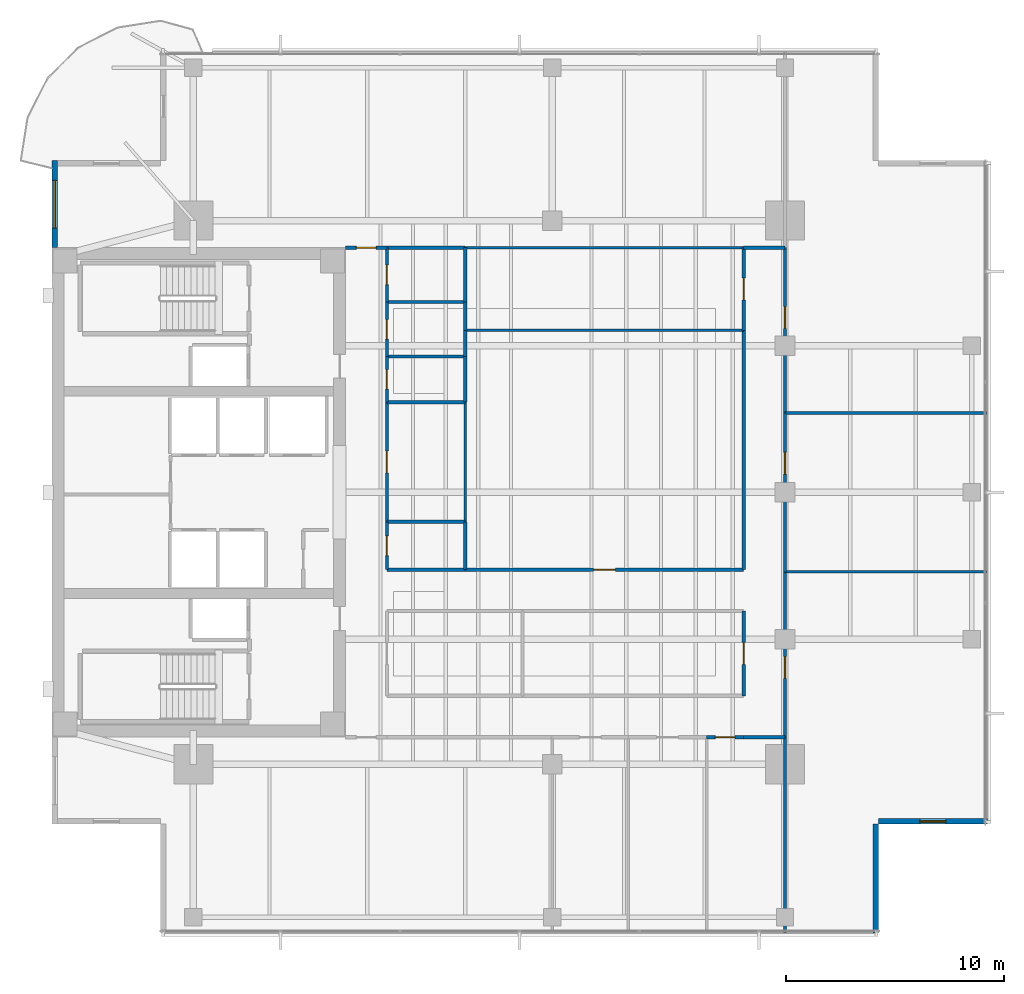
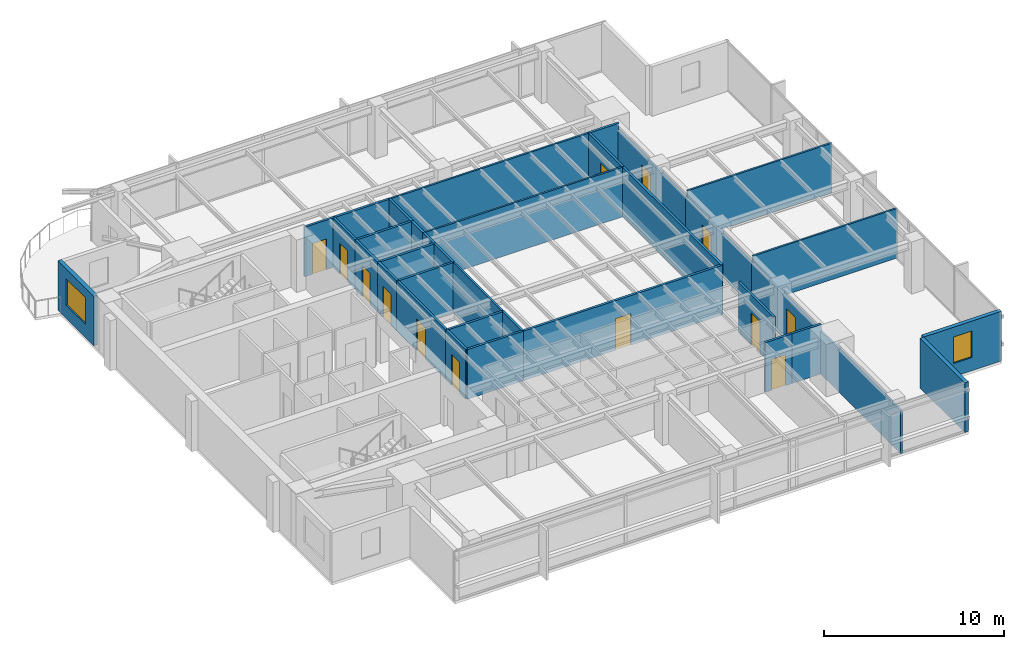
# One storey, part 9 of 14: 36 walls, 13 doors, 2 windows, 15 openings.
"""IFC4 building model written with IfcOpenShell, lengths in metres."""

from ifc_helpers import new_model, si_unit, direction, frame, frame_2d, origin, place, context, subcontext, project, spatial, rectangle, extrude, material, layer, layer_set, type_object, element, fill, save


model = new_model("IFC4")

# Units and contexts
model_context = context("Model", 3, precision=1e-05, world=origin(), true_north=direction((0.0, 1.0)))
body_context = subcontext(model_context, "Body", "Model", "MODEL_VIEW")
ifc_project = project(units=[si_unit("LENGTHUNIT", "METRE"), si_unit("AREAUNIT", "SQUARE_METRE"), si_unit("VOLUMEUNIT", "CUBIC_METRE"), si_unit("PLANEANGLEUNIT", "RADIAN"), si_unit("MASSUNIT", "GRAM", prefix="KILO")], contexts=[model_context])

# Site, building, storey
site_placement = place(None, origin())
site = spatial("IfcSite", under=ifc_project, at=site_placement, CompositionType="ELEMENT")
building_placement = place(site_placement, origin())
building = spatial("IfcBuilding", under=site, at=building_placement, Name="Kinhvarn Gate Tower", CompositionType="ELEMENT")
storey_placement = place(building_placement, frame((0.0, 0.0, 230.64990234375)))
storey = spatial("IfcBuildingStorey", under=building, at=storey_placement, Name="L61", CompositionType="ELEMENT", Elevation=230.64990234375)

# Wall, opening, window
ifc_material_1 = material(Name="Fired architectural terracotta", Category="masonry")
ifc_layer_1 = layer(ifc_material_1, 0.25)
ifc_layer_set_1 = layer_set([ifc_layer_1], Name="Fired architectural terracotta")
wall_type_1 = type_object("IfcWallType", Name="WL-EXT-250", PredefinedType="SOLIDWALL", material=ifc_layer_set_1)
wall_1_placement = place(storey_placement, frame((4.625, 40.5, 0.0), z_axis=(0.0, 0.0, 1.0), x_axis=(0.0, -1.0, 0.0)))
wall_1 = element("IfcWall", 1, at=wall_1_placement, inside=storey, type_object=wall_type_1, Name="Exterior Solidwall Wall EW-250 (L61 West-North)", PredefinedType="SOLIDWALL", context=body_context, shape_type="SweptSolid", body=[
    extrude(rectangle(XDim=4.0, YDim=0.25, at=frame_2d((2.0, 0.0))), origin(), (0.0, 0.0, 1.0), 3.3701171875),
])
opening_1_placement = place(wall_1_placement, frame((0.89990234375, 0.0, 0.89990234375)))
opening_1 = element("IfcOpeningElement", 2, at=opening_1_placement, cuts=wall_1, Name="Opening WN-01", PredefinedType="OPENING", context=body_context, shape_type="SweptSolid", body=[
    extrude(rectangle(XDim=2.199951171875, YDim=1.800048828125, at=frame_2d((1.10009765625, 0.89990234375))), frame((0.0, 0.135009765625, 0.0), z_axis=(0.0, -1.0, 0.0), x_axis=(1.0, 0.0, 0.0)), (0.0, 0.0, 1.0), 0.27001953125),
])
ifc_material_2 = material(Name="Clear low-e double glazing", Category="glass")
window_type_1 = type_object("IfcWindowType", Name="WIN-RIB-2200", PartitioningType="SINGLE_PANEL", PredefinedType="WINDOW", material=ifc_material_2)
window_1_placement = place(opening_1_placement, origin())
window_1 = element("IfcWindow", 3, at=window_1_placement, inside=storey, type_object=window_type_1, Name="West Flank Double-Glazed Ribbon Window 2200x1800 mm (L61)", OverallHeight=1.800048828125, OverallWidth=2.199951171875, PartitioningType="SINGLE_PANEL", PredefinedType="WINDOW", context=body_context, shape_type="SweptSolid", body=[
    extrude(rectangle(XDim=2.199951171875, YDim=1.800048828125, at=frame_2d((1.10009765625, 0.89990234375))), frame((0.0, 0.030029296875, 0.0), z_axis=(0.0, -1.0, 0.0), x_axis=(1.0, 0.0, 0.0)), (0.0, 0.0, 1.0), 0.06005859375),
])
fill(opening_1, window_1)

# Wall
wall_2_placement = place(storey_placement, frame((42.375, 5.0, 0.0), z_axis=(0.0, 0.0, 1.0), x_axis=(0.0, 1.0, 0.0)))
element("IfcWall", 4, at=wall_2_placement, inside=storey, type_object=wall_type_1, Name="Exterior Solidwall Wall EW-250 (L61 SE-Notch-1)", PredefinedType="SOLIDWALL", context=body_context, shape_type="SweptSolid", body=[
    extrude(rectangle(XDim=5.0, YDim=0.25, at=frame_2d((2.5, 0.0))), origin(), (0.0, 0.0, 1.0), 3.3701171875),
])

# Wall, opening, window
wall_3_placement = place(storey_placement, frame((42.5, 10.125, 0.0), z_axis=(0.0, 0.0, 1.0), x_axis=(1.0, 0.0, 0.0)))
wall_3 = element("IfcWall", 5, at=wall_3_placement, inside=storey, type_object=wall_type_1, Name="Exterior Solidwall Wall EW-250 (L61 SE-Notch-2)", PredefinedType="SOLIDWALL", context=body_context, shape_type="SweptSolid", body=[
    extrude(rectangle(XDim=5.0, YDim=0.25, at=frame_2d((2.5, 0.0))), origin(), (0.0, 0.0, 1.0), 3.3701171875),
])
opening_2_placement = place(wall_3_placement, frame((1.89990234375, 0.0, 0.89990234375)))
opening_2 = element("IfcOpeningElement", 6, at=opening_2_placement, cuts=wall_3, Name="Opening WN-02", PredefinedType="OPENING", context=body_context, shape_type="SweptSolid", body=[
    extrude(rectangle(XDim=1.199951171875, YDim=1.800048828125, at=frame_2d((0.60009765625, 0.89990234375))), frame((0.0, 0.135009765625, 0.0), z_axis=(0.0, -1.0, 0.0), x_axis=(1.0, 0.0, 0.0)), (0.0, 0.0, 1.0), 0.27001953125),
])
window_type_2 = type_object("IfcWindowType", Name="WIN-NTC-1200", PartitioningType="SINGLE_PANEL", PredefinedType="WINDOW", material=ifc_material_2)
window_2_placement = place(opening_2_placement, origin())
window_2 = element("IfcWindow", 7, at=window_2_placement, inside=storey, type_object=window_type_2, Name="Recessed Corner Notch Punched Window 1200x1800 mm (L61)", OverallHeight=1.800048828125, OverallWidth=1.199951171875, PartitioningType="SINGLE_PANEL", PredefinedType="WINDOW", context=body_context, shape_type="SweptSolid", body=[
    extrude(rectangle(XDim=1.199951171875, YDim=1.800048828125, at=frame_2d((0.60009765625, 0.89990234375))), frame((0.0, 0.030029296875, 0.0), z_axis=(0.0, -1.0, 0.0), x_axis=(1.0, 0.0, 0.0)), (0.0, 0.0, 1.0), 0.06005859375),
])
fill(opening_2, window_2)

# Walls
ifc_material_3 = material(Name="Gypsum acoustic partition board")
ifc_layer_2 = layer(ifc_material_3, 0.14990234375)
ifc_layer_set_2 = layer_set([ifc_layer_2], Name="Gypsum acoustic partition board")
wall_type_2 = type_object("IfcWallType", Name="WL-PLM-150", PredefinedType="PLUMBINGWALL", material=ifc_layer_set_2)
wall_4_placement = place(storey_placement, frame((19.89990234375, 34.0, 0.0), z_axis=(0.0, 0.0, 1.0), x_axis=(1.0, 0.0, 0.0)))
element("IfcWall", 8, at=wall_4_placement, inside=storey, type_object=wall_type_2, Name="Interior Partition PLW-150 (L61)", PredefinedType="PLUMBINGWALL", context=body_context, shape_type="SweptSolid", body=[
    extrude(rectangle(XDim=3.60009765625, YDim=0.14990234375, at=frame_2d((1.800048828125, 0.0))), origin(), (0.0, 0.0, 1.0), 3.3701171875),
])
wall_5_placement = place(storey_placement, frame((23.5, 34.0, 0.0), z_axis=(0.0, 0.0, 1.0), x_axis=(0.0, 1.0, 0.0)))
element("IfcWall", 9, at=wall_5_placement, inside=storey, type_object=wall_type_2, Name="Interior Partition PLW-150 (L61)", PredefinedType="PLUMBINGWALL", context=body_context, shape_type="SweptSolid", body=[
    extrude(rectangle(XDim=2.5, YDim=0.14990234375, at=frame_2d((1.25, 0.0))), origin(), (0.0, 0.0, 1.0), 3.3701171875),
])
for number, where, z_axis, x_axis, name in (
    (10, (19.89990234375, 36.5, 0.0), (0.0, 0.0, 1.0), (1.0, 0.0, 0.0), "Interior Partition PLW-150 (L61)"),
    (11, (19.89990234375, 31.5, 0.0), (0.0, 0.0, 1.0), (1.0, 0.0, 0.0), "Interior Partition PLW-150 (L61)"),
):
    element("IfcWall", number, at=place(storey_placement, frame(where, z_axis=z_axis, x_axis=x_axis)), inside=storey, type_object=wall_type_2, Name=name, PredefinedType="PLUMBINGWALL", context=body_context, shape_type="SweptSolid", body=[
        extrude(rectangle(XDim=3.60009765625, YDim=0.14990234375, at=frame_2d((1.800048828125, 0.0))), origin(), (0.0, 0.0, 1.0), 3.3701171875),
    ])
wall_6_placement = place(storey_placement, frame((23.5, 32.699951171875, 0.0), z_axis=(0.0, 0.0, 1.0), x_axis=(0.0, 1.0, 0.0)))
element("IfcWall", 12, at=wall_6_placement, inside=storey, type_object=wall_type_2, Name="Interior Partition PLW-150 (L61)", PredefinedType="PLUMBINGWALL", context=body_context, shape_type="SweptSolid", body=[
    extrude(rectangle(XDim=1.300048828125, YDim=0.14990234375, at=frame_2d((0.64990234375, 0.0))), origin(), (0.0, 0.0, 1.0), 3.3701171875),
])
wall_7_placement = place(storey_placement, frame((23.5, 31.5, 0.0), z_axis=(0.0, 0.0, 1.0), x_axis=(0.0, 1.0, 0.0)))
element("IfcWall", 13, at=wall_7_placement, inside=storey, type_object=wall_type_2, Name="Interior Partition PLW-150 (L61)", PredefinedType="PLUMBINGWALL", context=body_context, shape_type="SweptSolid", body=[
    extrude(rectangle(XDim=1.199951171875, YDim=0.14990234375, at=frame_2d((0.60009765625, 0.0))), origin(), (0.0, 0.0, 1.0), 3.3701171875),
])
wall_8_placement = place(storey_placement, frame((19.89990234375, 29.39990234375, 0.0), z_axis=(0.0, 0.0, 1.0), x_axis=(1.0, 0.0, 0.0)))
element("IfcWall", 14, at=wall_8_placement, inside=storey, type_object=wall_type_2, Name="Interior Partition PLW-150 (L61)", PredefinedType="PLUMBINGWALL", context=body_context, shape_type="SweptSolid", body=[
    extrude(rectangle(XDim=3.60009765625, YDim=0.14990234375, at=frame_2d((1.800048828125, 0.0))), origin(), (0.0, 0.0, 1.0), 3.3701171875),
])
wall_9_placement = place(storey_placement, frame((23.5, 29.39990234375, 0.0), z_axis=(0.0, 0.0, 1.0), x_axis=(0.0, 1.0, 0.0)))
element("IfcWall", 15, at=wall_9_placement, inside=storey, type_object=wall_type_2, Name="Interior Partition PLW-150 (L61)", PredefinedType="PLUMBINGWALL", context=body_context, shape_type="SweptSolid", body=[
    extrude(rectangle(XDim=2.10009765625, YDim=0.14990234375, at=frame_2d((1.050048828125, 0.0))), origin(), (0.0, 0.0, 1.0), 3.3701171875),
])
wall_10_placement = place(storey_placement, frame((19.89990234375, 23.89990234375, 0.0), z_axis=(0.0, 0.0, 1.0), x_axis=(1.0, 0.0, 0.0)))
element("IfcWall", 16, at=wall_10_placement, inside=storey, type_object=wall_type_2, Name="Interior Partition PLW-150 (L61)", PredefinedType="PLUMBINGWALL", context=body_context, shape_type="SweptSolid", body=[
    extrude(rectangle(XDim=3.60009765625, YDim=0.14990234375, at=frame_2d((1.800048828125, 0.0))), origin(), (0.0, 0.0, 1.0), 3.3701171875),
])
wall_11_placement = place(storey_placement, frame((23.5, 21.699951171875, 0.0), z_axis=(0.0, 0.0, 1.0), x_axis=(0.0, 1.0, 0.0)))
element("IfcWall", 17, at=wall_11_placement, inside=storey, type_object=wall_type_2, Name="Interior Partition PLW-150 (L61)", PredefinedType="PLUMBINGWALL", context=body_context, shape_type="SweptSolid", body=[
    extrude(rectangle(XDim=2.199951171875, YDim=0.14990234375, at=frame_2d((1.10009765625, 0.0))), origin(), (0.0, 0.0, 1.0), 3.3701171875),
])

# Wall, opening, door
ifc_layer_3 = layer(ifc_material_3, 0.14990234375)
ifc_layer_set_3 = layer_set([ifc_layer_3], Name="Gypsum acoustic partition board")
wall_type_3 = type_object("IfcWallType", Name="WL-PLM-150F", PredefinedType="PLUMBINGWALL", material=ifc_layer_set_3)
wall_12_placement = place(storey_placement, frame((19.89990234375, 34.0, 0.0), z_axis=(0.0, 0.0, 1.0), x_axis=(0.0, 1.0, 0.0)))
wall_12 = element("IfcWall", 18, at=wall_12_placement, inside=storey, type_object=wall_type_3, Name="Interior Partition PLW-150F (L61)", PredefinedType="PLUMBINGWALL", context=body_context, shape_type="SweptSolid", body=[
    extrude(rectangle(XDim=2.5, YDim=0.14990234375, at=frame_2d((1.25, 0.0))), origin(), (0.0, 0.0, 1.0), 3.3701171875),
])
opening_3_placement = place(wall_12_placement, frame((0.800048828125, 0.0, 0.0)))
opening_3 = element("IfcOpeningElement", 19, at=opening_3_placement, cuts=wall_12, Name="Opening FD-04", PredefinedType="OPENING", context=body_context, shape_type="SweptSolid", body=[
    extrude(rectangle(XDim=0.89990234375, YDim=2.10009765625, at=frame_2d((0.449951171875, 1.050048828125))), frame((0.0, 0.0849609375, 0.0), z_axis=(0.0, -1.0, 0.0), x_axis=(1.0, 0.0, 0.0)), (0.0, 0.0, 1.0), 0.169921875),
])
ifc_material_4 = material(Name="Anodised aluminium AW-6063", Category="aluminium")
door_type_1 = type_object("IfcDoorType", Name="DR-FD-900", OperationType="NOTDEFINED", PredefinedType="DOOR", material=ifc_material_4)
door_1_placement = place(opening_3_placement, origin())
door_1 = element("IfcDoor", 20, at=door_1_placement, inside=storey, type_object=door_type_1, Name="Rated Riser & Service Closet Fire Door 900x2100 mm (L61)", OperationType="SINGLE_SWING_RIGHT", OverallHeight=2.10009765625, OverallWidth=0.89990234375, PredefinedType="DOOR", context=body_context, shape_type="SweptSolid", body=[
    extrude(rectangle(XDim=0.89990234375, YDim=2.10009765625, at=frame_2d((0.449951171875, 1.050048828125))), frame((0.0, 0.02490234375, 0.0), z_axis=(0.0, -1.0, 0.0), x_axis=(1.0, 0.0, 0.0)), (0.0, 0.0, 1.0), 0.050048828125),
])
fill(opening_3, door_1)

wall_13_placement = place(storey_placement, frame((19.89990234375, 31.5, 0.0), z_axis=(0.0, 0.0, 1.0), x_axis=(0.0, 1.0, 0.0)))
wall_13 = element("IfcWall", 21, at=wall_13_placement, inside=storey, type_object=wall_type_3, Name="Interior Partition PLW-150F (L61)", PredefinedType="PLUMBINGWALL", context=body_context, shape_type="SweptSolid", body=[
    extrude(rectangle(XDim=2.5, YDim=0.14990234375, at=frame_2d((1.25, 0.0))), origin(), (0.0, 0.0, 1.0), 3.3701171875),
])
opening_4_placement = place(wall_13_placement, frame((0.800048828125, 0.0, 0.0)))
opening_4 = element("IfcOpeningElement", 22, at=opening_4_placement, cuts=wall_13, Name="Opening FD-04", PredefinedType="OPENING", context=body_context, shape_type="SweptSolid", body=[
    extrude(rectangle(XDim=0.89990234375, YDim=2.10009765625, at=frame_2d((0.449951171875, 1.050048828125))), frame((0.0, 0.0849609375, 0.0), z_axis=(0.0, -1.0, 0.0), x_axis=(1.0, 0.0, 0.0)), (0.0, 0.0, 1.0), 0.169921875),
])
door_2_placement = place(opening_4_placement, origin())
door_2 = element("IfcDoor", 23, at=door_2_placement, inside=storey, type_object=door_type_1, Name="Rated Riser & Service Closet Fire Door 900x2100 mm (L61)", OperationType="SINGLE_SWING_LEFT", OverallHeight=2.10009765625, OverallWidth=0.89990234375, PredefinedType="DOOR", context=body_context, shape_type="SweptSolid", body=[
    extrude(rectangle(XDim=0.89990234375, YDim=2.10009765625, at=frame_2d((0.449951171875, 1.050048828125))), frame((0.0, 0.02490234375, 0.0), z_axis=(0.0, -1.0, 0.0), x_axis=(1.0, 0.0, 0.0)), (0.0, 0.0, 1.0), 0.050048828125),
])
fill(opening_4, door_2)

wall_14_placement = place(storey_placement, frame((19.89990234375, 29.39990234375, 0.0), z_axis=(0.0, 0.0, 1.0), x_axis=(0.0, 1.0, 0.0)))
wall_14 = element("IfcWall", 24, at=wall_14_placement, inside=storey, type_object=wall_type_3, Name="Interior Partition PLW-150F (L61)", PredefinedType="PLUMBINGWALL", context=body_context, shape_type="SweptSolid", body=[
    extrude(rectangle(XDim=2.10009765625, YDim=0.14990234375, at=frame_2d((1.050048828125, 0.0))), origin(), (0.0, 0.0, 1.0), 3.3701171875),
])
opening_5_placement = place(wall_14_placement, frame((0.60009765625, 0.0, 0.0)))
opening_5 = element("IfcOpeningElement", 25, at=opening_5_placement, cuts=wall_14, Name="Opening FD-04", PredefinedType="OPENING", context=body_context, shape_type="SweptSolid", body=[
    extrude(rectangle(XDim=0.89990234375, YDim=2.10009765625, at=frame_2d((0.449951171875, 1.050048828125))), frame((0.0, 0.0849609375, 0.0), z_axis=(0.0, -1.0, 0.0), x_axis=(1.0, 0.0, 0.0)), (0.0, 0.0, 1.0), 0.169921875),
])
door_3_placement = place(opening_5_placement, origin())
door_3 = element("IfcDoor", 26, at=door_3_placement, inside=storey, type_object=door_type_1, Name="Rated Riser & Service Closet Fire Door 900x2100 mm (L61)", OperationType="SINGLE_SWING_RIGHT", OverallHeight=2.10009765625, OverallWidth=0.89990234375, PredefinedType="DOOR", context=body_context, shape_type="SweptSolid", body=[
    extrude(rectangle(XDim=0.89990234375, YDim=2.10009765625, at=frame_2d((0.449951171875, 1.050048828125))), frame((0.0, 0.02490234375, 0.0), z_axis=(0.0, -1.0, 0.0), x_axis=(1.0, 0.0, 0.0)), (0.0, 0.0, 1.0), 0.050048828125),
])
fill(opening_5, door_3)

wall_15_placement = place(storey_placement, frame((19.89990234375, 21.699951171875, 0.0), z_axis=(0.0, 0.0, 1.0), x_axis=(0.0, 1.0, 0.0)))
wall_15 = element("IfcWall", 27, at=wall_15_placement, inside=storey, type_object=wall_type_3, Name="Interior Partition PLW-150F (L61)", PredefinedType="PLUMBINGWALL", context=body_context, shape_type="SweptSolid", body=[
    extrude(rectangle(XDim=2.199951171875, YDim=0.14990234375, at=frame_2d((1.10009765625, 0.0))), origin(), (0.0, 0.0, 1.0), 3.3701171875),
])
opening_6_placement = place(wall_15_placement, frame((0.64990234375, 0.0, 0.0)))
opening_6 = element("IfcOpeningElement", 28, at=opening_6_placement, cuts=wall_15, Name="Opening FD-04", PredefinedType="OPENING", context=body_context, shape_type="SweptSolid", body=[
    extrude(rectangle(XDim=0.89990234375, YDim=2.10009765625, at=frame_2d((0.449951171875, 1.050048828125))), frame((0.0, 0.0849609375, 0.0), z_axis=(0.0, -1.0, 0.0), x_axis=(1.0, 0.0, 0.0)), (0.0, 0.0, 1.0), 0.169921875),
])
door_4_placement = place(opening_6_placement, origin())
door_4 = element("IfcDoor", 29, at=door_4_placement, inside=storey, type_object=door_type_1, Name="Rated Riser & Service Closet Fire Door 900x2100 mm (L61)", OperationType="SINGLE_SWING_LEFT", OverallHeight=2.10009765625, OverallWidth=0.89990234375, PredefinedType="DOOR", context=body_context, shape_type="SweptSolid", body=[
    extrude(rectangle(XDim=0.89990234375, YDim=2.10009765625, at=frame_2d((0.449951171875, 1.050048828125))), frame((0.0, 0.02490234375, 0.0), z_axis=(0.0, -1.0, 0.0), x_axis=(1.0, 0.0, 0.0)), (0.0, 0.0, 1.0), 0.050048828125),
])
fill(opening_6, door_4)

# Walls
wall_16_placement = place(storey_placement, frame((19.89990234375, 21.699951171875, 0.0), z_axis=(0.0, 0.0, 1.0), x_axis=(1.0, 0.0, 0.0)))
element("IfcWall", 30, at=wall_16_placement, inside=storey, type_object=wall_type_3, Name="Interior Partition PLW-150F (L61)", PredefinedType="PLUMBINGWALL", context=body_context, shape_type="SweptSolid", body=[
    extrude(rectangle(XDim=3.60009765625, YDim=0.14990234375, at=frame_2d((1.800048828125, 0.0))), origin(), (0.0, 0.0, 1.0), 3.3701171875),
])
ifc_layer_4 = layer(ifc_material_3, 0.1201171875)
ifc_layer_set_4 = layer_set([ifc_layer_4], Name="Gypsum acoustic partition board")
wall_type_4 = type_object("IfcWallType", Name="WL-PRT-120", PredefinedType="PARTITIONING", material=ifc_layer_set_4)
wall_17_placement = place(storey_placement, frame((23.5, 23.89990234375, 0.0), z_axis=(0.0, 0.0, 1.0), x_axis=(0.0, 1.0, 0.0)))
element("IfcWall", 31, at=wall_17_placement, inside=storey, type_object=wall_type_4, Name="Interior Partition PW-120 (L61)", PredefinedType="PARTITIONING", context=body_context, shape_type="SweptSolid", body=[
    extrude(rectangle(XDim=5.5, YDim=0.1201171875, at=frame_2d((2.75, 0.0))), origin(), (0.0, 0.0, 1.0), 3.3701171875),
])
for number, where, z_axis, x_axis, name in (
    (32, (23.5, 32.699951171875, 0.0), (0.0, 0.0, 1.0), (1.0, 0.0, 0.0), "Interior Partition PW-120 (L61)"),
    (33, (23.5, 36.5, 0.0), (0.0, 0.0, 1.0), (1.0, 0.0, 0.0), "Interior Partition PW-120 (L61)"),
):
    element("IfcWall", number, at=place(storey_placement, frame(where, z_axis=z_axis, x_axis=x_axis)), inside=storey, type_object=wall_type_4, Name=name, PredefinedType="PARTITIONING", context=body_context, shape_type="SweptSolid", body=[
        extrude(rectangle(XDim=12.800048828125, YDim=0.1201171875, at=frame_2d((6.39990234375, 0.0))), origin(), (0.0, 0.0, 1.0), 3.3701171875),
    ])
wall_18_placement = place(storey_placement, frame((38.199951171875, 5.010009765625, 0.0), z_axis=(0.0, 0.0, 1.0), x_axis=(0.0, 1.0, 0.0)))
element("IfcWall", 34, at=wall_18_placement, inside=storey, type_object=wall_type_4, Name="Interior Partition PW-120 (L61)", PredefinedType="PARTITIONING", context=body_context, shape_type="SweptSolid", body=[
    extrude(rectangle(XDim=8.989990234375, YDim=0.1201171875, at=frame_2d((4.4951171875, 0.0))), origin(), (0.0, 0.0, 1.0), 2.920166015625),
])
for number, where, z_axis, x_axis, name in (
    (35, (38.199951171875, 21.60009765625, 0.0), (0.0, 0.0, 1.0), (1.0, 0.0, 0.0), "Interior Partition PW-120 (L61)"),
    (36, (38.199951171875, 28.89990234375, 0.0), (0.0, 0.0, 1.0), (1.0, 0.0, 0.0), "Interior Partition PW-120 (L61)"),
):
    element("IfcWall", number, at=place(storey_placement, frame(where, z_axis=z_axis, x_axis=x_axis)), inside=storey, type_object=wall_type_4, Name=name, PredefinedType="PARTITIONING", context=body_context, shape_type="SweptSolid", body=[
        extrude(rectangle(XDim=9.2900390625, YDim=0.1201171875, at=frame_2d((4.64501953125, 0.0))), origin(), (0.0, 0.0, 1.0), 3.3701171875),
    ])

# Wall, opening, door
ifc_layer_5 = layer(ifc_material_3, 0.14990234375)
ifc_layer_set_5 = layer_set([ifc_layer_5], Name="Gypsum acoustic partition board")
wall_type_5 = type_object("IfcWallType", Name="WL-PRT-150F", PredefinedType="PARTITIONING", material=ifc_layer_set_5)
wall_19_placement = place(storey_placement, frame((19.89990234375, 23.89990234375, 0.0), z_axis=(0.0, 0.0, 1.0), x_axis=(0.0, 1.0, 0.0)))
wall_19 = element("IfcWall", 37, at=wall_19_placement, inside=storey, type_object=wall_type_5, Name="Interior Partition PW-150F (L61)", PredefinedType="PARTITIONING", context=body_context, shape_type="SweptSolid", body=[
    extrude(rectangle(XDim=5.5, YDim=0.14990234375, at=frame_2d((2.75, 0.0))), origin(), (0.0, 0.0, 1.0), 3.3701171875),
])
opening_7_placement = place(wall_19_placement, frame((2.25, 0.0, 0.0)))
opening_7 = element("IfcOpeningElement", 38, at=opening_7_placement, cuts=wall_19, Name="Opening ID-02", PredefinedType="OPENING", context=body_context, shape_type="SweptSolid", body=[
    extrude(rectangle(XDim=1.0, YDim=2.14990234375, at=frame_2d((0.5, 1.074951171875))), frame((0.0, 0.0849609375, 0.0), z_axis=(0.0, -1.0, 0.0), x_axis=(1.0, 0.0, 0.0)), (0.0, 0.0, 1.0), 0.169921875),
])
door_type_2 = type_object("IfcDoorType", Name="DR-INT-1000", OperationType="NOTDEFINED", PredefinedType="DOOR", material=ifc_material_4)
door_5_placement = place(opening_7_placement, origin())
door_5 = element("IfcDoor", 39, at=door_5_placement, inside=storey, type_object=door_type_2, Name="Standard Office & Meeting Room Door 1000x2150 mm (L61)", OperationType="SINGLE_SWING_RIGHT", OverallHeight=2.14990234375, OverallWidth=1.0, PredefinedType="DOOR", context=body_context, shape_type="SweptSolid", body=[
    extrude(rectangle(XDim=1.0, YDim=2.14990234375, at=frame_2d((0.5, 1.074951171875))), frame((0.0, 0.02490234375, 0.0), z_axis=(0.0, -1.0, 0.0), x_axis=(1.0, 0.0, 0.0)), (0.0, 0.0, 1.0), 0.050048828125),
])
fill(opening_7, door_5)

wall_20_placement = place(storey_placement, frame((18.0, 36.5, 0.0), z_axis=(0.0, 0.0, 1.0), x_axis=(1.0, 0.0, 0.0)))
wall_20 = element("IfcWall", 40, at=wall_20_placement, inside=storey, type_object=wall_type_5, Name="Interior Partition PW-150F (L61)", PredefinedType="PARTITIONING", context=body_context, shape_type="SweptSolid", body=[
    extrude(rectangle(XDim=1.89990234375, YDim=0.14990234375, at=frame_2d((0.949951171875, 0.0))), origin(), (0.0, 0.0, 1.0), 3.3701171875),
])
opening_8_placement = place(wall_20_placement, frame((0.5, 0.0, 0.0)))
opening_8 = element("IfcOpeningElement", 41, at=opening_8_placement, cuts=wall_20, Name="Opening ID-03", PredefinedType="OPENING", context=body_context, shape_type="SweptSolid", body=[
    extrude(rectangle(XDim=0.89990234375, YDim=2.10009765625, at=frame_2d((0.449951171875, 1.050048828125))), frame((0.0, 0.0849609375, 0.0), z_axis=(0.0, -1.0, 0.0), x_axis=(1.0, 0.0, 0.0)), (0.0, 0.0, 1.0), 0.169921875),
])
door_type_3 = type_object("IfcDoorType", Name="DR-INT-900", OperationType="NOTDEFINED", PredefinedType="DOOR", material=ifc_material_4)
door_6_placement = place(opening_8_placement, origin())
door_6 = element("IfcDoor", 42, at=door_6_placement, inside=storey, type_object=door_type_3, Name="Cellular Office & Restroom Door 900x2100 mm (L61)", OperationType="SINGLE_SWING_RIGHT", OverallHeight=2.10009765625, OverallWidth=0.89990234375, PredefinedType="DOOR", context=body_context, shape_type="SweptSolid", body=[
    extrude(rectangle(XDim=0.89990234375, YDim=2.10009765625, at=frame_2d((0.449951171875, 1.050048828125))), frame((0.0, 0.02490234375, 0.0), z_axis=(0.0, -1.0, 0.0), x_axis=(1.0, 0.0, 0.0)), (0.0, 0.0, 1.0), 0.050048828125),
])
fill(opening_8, door_6)

wall_21_placement = place(storey_placement, frame((23.5, 21.699951171875, 0.0), z_axis=(0.0, 0.0, 1.0), x_axis=(1.0, 0.0, 0.0)))
wall_21 = element("IfcWall", 43, at=wall_21_placement, inside=storey, type_object=wall_type_5, Name="Interior Partition PW-150F (L61)", PredefinedType="PARTITIONING", context=body_context, shape_type="SweptSolid", body=[
    extrude(rectangle(XDim=12.800048828125, YDim=0.14990234375, at=frame_2d((6.39990234375, 0.0))), origin(), (0.0, 0.0, 1.0), 3.3701171875),
])
opening_9_placement = place(wall_21_placement, frame((5.89990234375, 0.0, 0.0)))
opening_9 = element("IfcOpeningElement", 44, at=opening_9_placement, cuts=wall_21, Name="Opening ID-02", PredefinedType="OPENING", context=body_context, shape_type="SweptSolid", body=[
    extrude(rectangle(XDim=1.0, YDim=2.14990234375, at=frame_2d((0.5, 1.074951171875))), frame((0.0, 0.0849609375, 0.0), z_axis=(0.0, -1.0, 0.0), x_axis=(1.0, 0.0, 0.0)), (0.0, 0.0, 1.0), 0.169921875),
])
door_7_placement = place(opening_9_placement, origin())
door_7 = element("IfcDoor", 45, at=door_7_placement, inside=storey, type_object=door_type_2, Name="Standard Office & Meeting Room Door 1000x2150 mm (L61)", OperationType="SINGLE_SWING_LEFT", OverallHeight=2.14990234375, OverallWidth=1.0, PredefinedType="DOOR", context=body_context, shape_type="SweptSolid", body=[
    extrude(rectangle(XDim=1.0, YDim=2.14990234375, at=frame_2d((0.5, 1.074951171875))), frame((0.0, 0.02490234375, 0.0), z_axis=(0.0, -1.0, 0.0), x_axis=(1.0, 0.0, 0.0)), (0.0, 0.0, 1.0), 0.050048828125),
])
fill(opening_9, door_7)

wall_22_placement = place(storey_placement, frame((36.300048828125, 15.89990234375, 0.0), z_axis=(0.0, 0.0, 1.0), x_axis=(0.0, 1.0, 0.0)))
wall_22 = element("IfcWall", 46, at=wall_22_placement, inside=storey, type_object=wall_type_5, Name="Interior Partition PW-150F (L61)", PredefinedType="PARTITIONING", context=body_context, shape_type="SweptSolid", body=[
    extrude(rectangle(XDim=3.900146484375, YDim=0.14990234375, at=frame_2d((1.9501953125, 0.0))), origin(), (0.0, 0.0, 1.0), 3.3701171875),
])
opening_10_placement = place(wall_22_placement, frame((1.449951171875, 0.0, 0.0)))
opening_10 = element("IfcOpeningElement", 47, at=opening_10_placement, cuts=wall_22, Name="Opening ID-02", PredefinedType="OPENING", context=body_context, shape_type="SweptSolid", body=[
    extrude(rectangle(XDim=1.0, YDim=2.14990234375, at=frame_2d((0.5, 1.074951171875))), frame((0.0, 0.0849609375, 0.0), z_axis=(0.0, -1.0, 0.0), x_axis=(1.0, 0.0, 0.0)), (0.0, 0.0, 1.0), 0.169921875),
])
door_8_placement = place(opening_10_placement, origin())
door_8 = element("IfcDoor", 48, at=door_8_placement, inside=storey, type_object=door_type_2, Name="Standard Office & Meeting Room Door 1000x2150 mm (L61)", OperationType="SINGLE_SWING_RIGHT", OverallHeight=2.14990234375, OverallWidth=1.0, PredefinedType="DOOR", context=body_context, shape_type="SweptSolid", body=[
    extrude(rectangle(XDim=1.0, YDim=2.14990234375, at=frame_2d((0.5, 1.074951171875))), frame((0.0, 0.02490234375, 0.0), z_axis=(0.0, -1.0, 0.0), x_axis=(1.0, 0.0, 0.0)), (0.0, 0.0, 1.0), 0.050048828125),
])
fill(opening_10, door_8)

wall_23_placement = place(storey_placement, frame((36.300048828125, 32.699951171875, 0.0), z_axis=(0.0, 0.0, 1.0), x_axis=(0.0, 1.0, 0.0)))
wall_23 = element("IfcWall", 49, at=wall_23_placement, inside=storey, type_object=wall_type_5, Name="Interior Partition PW-150F (L61)", PredefinedType="PARTITIONING", context=body_context, shape_type="SweptSolid", body=[
    extrude(rectangle(XDim=3.800048828125, YDim=0.14990234375, at=frame_2d((1.89990234375, 0.0))), origin(), (0.0, 0.0, 1.0), 3.3701171875),
])
opening_11_placement = place(wall_23_placement, frame((1.39990234375, 0.0, 0.0)))
opening_11 = element("IfcOpeningElement", 50, at=opening_11_placement, cuts=wall_23, Name="Opening ID-02", PredefinedType="OPENING", context=body_context, shape_type="SweptSolid", body=[
    extrude(rectangle(XDim=1.0, YDim=2.14990234375, at=frame_2d((0.5, 1.074951171875))), frame((0.0, 0.0849609375, 0.0), z_axis=(0.0, -1.0, 0.0), x_axis=(1.0, 0.0, 0.0)), (0.0, 0.0, 1.0), 0.169921875),
])
door_9_placement = place(opening_11_placement, origin())
door_9 = element("IfcDoor", 51, at=door_9_placement, inside=storey, type_object=door_type_2, Name="Standard Office & Meeting Room Door 1000x2150 mm (L61)", OperationType="SINGLE_SWING_LEFT", OverallHeight=2.14990234375, OverallWidth=1.0, PredefinedType="DOOR", context=body_context, shape_type="SweptSolid", body=[
    extrude(rectangle(XDim=1.0, YDim=2.14990234375, at=frame_2d((0.5, 1.074951171875))), frame((0.0, 0.02490234375, 0.0), z_axis=(0.0, -1.0, 0.0), x_axis=(1.0, 0.0, 0.0)), (0.0, 0.0, 1.0), 0.050048828125),
])
fill(opening_11, door_9)

# Walls
wall_24_placement = place(storey_placement, frame((36.300048828125, 21.699951171875, 0.0), z_axis=(0.0, 0.0, 1.0), x_axis=(0.0, 1.0, 0.0)))
element("IfcWall", 52, at=wall_24_placement, inside=storey, type_object=wall_type_5, Name="Interior Partition PW-150F (L61)", PredefinedType="PARTITIONING", context=body_context, shape_type="SweptSolid", body=[
    extrude(rectangle(XDim=11.0, YDim=0.14990234375, at=frame_2d((5.5, 0.0))), origin(), (0.0, 0.0, 1.0), 3.3701171875),
])
for number, where, z_axis, x_axis, name in (
    (53, (36.300048828125, 14.0, 0.0), (0.0, 0.0, 1.0), (1.0, 0.0, 0.0), "Interior Partition PW-150F (L61)"),
    (54, (36.300048828125, 36.5, 0.0), (0.0, 0.0, 1.0), (1.0, 0.0, 0.0), "Interior Partition PW-150F (L61)"),
):
    element("IfcWall", number, at=place(storey_placement, frame(where, z_axis=z_axis, x_axis=x_axis)), inside=storey, type_object=wall_type_5, Name=name, PredefinedType="PARTITIONING", context=body_context, shape_type="SweptSolid", body=[
        extrude(rectangle(XDim=1.89990234375, YDim=0.14990234375, at=frame_2d((0.949951171875, 0.0))), origin(), (0.0, 0.0, 1.0), 3.3701171875),
    ])

# Wall, opening, door
wall_25_placement = place(storey_placement, frame((38.199951171875, 14.0, 0.0), z_axis=(0.0, 0.0, 1.0), x_axis=(0.0, 1.0, 0.0)))
wall_25 = element("IfcWall", 55, at=wall_25_placement, inside=storey, type_object=wall_type_5, Name="Interior Partition PW-150F (L61)", PredefinedType="PARTITIONING", context=body_context, shape_type="SweptSolid", body=[
    extrude(rectangle(XDim=7.60009765625, YDim=0.14990234375, at=frame_2d((3.800048828125, 0.0))), origin(), (0.0, 0.0, 1.0), 2.920166015625),
])
opening_12_placement = place(wall_25_placement, frame((2.7060546875, 0.0, 0.0)))
opening_12 = element("IfcOpeningElement", 56, at=opening_12_placement, cuts=wall_25, Name="Opening ID-02", PredefinedType="OPENING", context=body_context, shape_type="SweptSolid", body=[
    extrude(rectangle(XDim=1.0, YDim=2.14990234375, at=frame_2d((0.5, 1.074951171875))), frame((0.0, 0.0849609375, 0.0), z_axis=(0.0, -1.0, 0.0), x_axis=(1.0, 0.0, 0.0)), (0.0, 0.0, 1.0), 0.169921875),
])
door_10_placement = place(opening_12_placement, origin())
door_10 = element("IfcDoor", 57, at=door_10_placement, inside=storey, type_object=door_type_2, Name="Standard Office & Meeting Room Door 1000x2150 mm (L61)", OperationType="SINGLE_SWING_RIGHT", OverallHeight=2.14990234375, OverallWidth=1.0, PredefinedType="DOOR", context=body_context, shape_type="SweptSolid", body=[
    extrude(rectangle(XDim=1.0, YDim=2.14990234375, at=frame_2d((0.5, 1.074951171875))), frame((0.0, 0.02490234375, 0.0), z_axis=(0.0, -1.0, 0.0), x_axis=(1.0, 0.0, 0.0)), (0.0, 0.0, 1.0), 0.050048828125),
])
fill(opening_12, door_10)

wall_26_placement = place(storey_placement, frame((38.199951171875, 21.60009765625, 0.0), z_axis=(0.0, 0.0, 1.0), x_axis=(0.0, 1.0, 0.0)))
wall_26 = element("IfcWall", 58, at=wall_26_placement, inside=storey, type_object=wall_type_5, Name="Interior Partition PW-150F (L61)", PredefinedType="PARTITIONING", context=body_context, shape_type="SweptSolid", body=[
    extrude(rectangle(XDim=7.2998046875, YDim=0.14990234375, at=frame_2d((3.64990234375, 0.0))), origin(), (0.0, 0.0, 1.0), 2.920166015625),
])
opening_13_placement = place(wall_26_placement, frame((4.486083984375, 0.0, 0.0)))
opening_13 = element("IfcOpeningElement", 59, at=opening_13_placement, cuts=wall_26, Name="Opening ID-02", PredefinedType="OPENING", context=body_context, shape_type="SweptSolid", body=[
    extrude(rectangle(XDim=1.0, YDim=2.14990234375, at=frame_2d((0.5, 1.074951171875))), frame((0.0, 0.0849609375, 0.0), z_axis=(0.0, -1.0, 0.0), x_axis=(1.0, 0.0, 0.0)), (0.0, 0.0, 1.0), 0.169921875),
])
door_11_placement = place(opening_13_placement, origin())
door_11 = element("IfcDoor", 60, at=door_11_placement, inside=storey, type_object=door_type_2, Name="Standard Office & Meeting Room Door 1000x2150 mm (L61)", OperationType="SINGLE_SWING_LEFT", OverallHeight=2.14990234375, OverallWidth=1.0, PredefinedType="DOOR", context=body_context, shape_type="SweptSolid", body=[
    extrude(rectangle(XDim=1.0, YDim=2.14990234375, at=frame_2d((0.5, 1.074951171875))), frame((0.0, 0.02490234375, 0.0), z_axis=(0.0, -1.0, 0.0), x_axis=(1.0, 0.0, 0.0)), (0.0, 0.0, 1.0), 0.050048828125),
])
fill(opening_13, door_11)

wall_27_placement = place(storey_placement, frame((38.199951171875, 28.89990234375, 0.0), z_axis=(0.0, 0.0, 1.0), x_axis=(0.0, 1.0, 0.0)))
wall_27 = element("IfcWall", 61, at=wall_27_placement, inside=storey, type_object=wall_type_5, Name="Interior Partition PW-150F (L61)", PredefinedType="PARTITIONING", context=body_context, shape_type="SweptSolid", body=[
    extrude(rectangle(XDim=7.60009765625, YDim=0.14990234375, at=frame_2d((3.800048828125, 0.0))), origin(), (0.0, 0.0, 1.0), 2.920166015625),
])
opening_14_placement = place(wall_27_placement, frame((3.89404296875, 0.0, 0.0)))
opening_14 = element("IfcOpeningElement", 62, at=opening_14_placement, cuts=wall_27, Name="Opening ID-02", PredefinedType="OPENING", context=body_context, shape_type="SweptSolid", body=[
    extrude(rectangle(XDim=1.0, YDim=2.14990234375, at=frame_2d((0.5, 1.074951171875))), frame((0.0, 0.0849609375, 0.0), z_axis=(0.0, -1.0, 0.0), x_axis=(1.0, 0.0, 0.0)), (0.0, 0.0, 1.0), 0.169921875),
])
door_12_placement = place(opening_14_placement, origin())
door_12 = element("IfcDoor", 63, at=door_12_placement, inside=storey, type_object=door_type_2, Name="Standard Office & Meeting Room Door 1000x2150 mm (L61)", OperationType="SINGLE_SWING_RIGHT", OverallHeight=2.14990234375, OverallWidth=1.0, PredefinedType="DOOR", context=body_context, shape_type="SweptSolid", body=[
    extrude(rectangle(XDim=1.0, YDim=2.14990234375, at=frame_2d((0.5, 1.074951171875))), frame((0.0, 0.02490234375, 0.0), z_axis=(0.0, -1.0, 0.0), x_axis=(1.0, 0.0, 0.0)), (0.0, 0.0, 1.0), 0.050048828125),
])
fill(opening_14, door_12)

wall_28_placement = place(storey_placement, frame((34.60009765625, 14.0, 0.0), z_axis=(0.0, 0.0, 1.0), x_axis=(1.0, 0.0, 0.0)))
wall_28 = element("IfcWall", 64, at=wall_28_placement, inside=storey, type_object=wall_type_5, Name="Interior Partition PW-150F (L61)", PredefinedType="PARTITIONING", context=body_context, shape_type="SweptSolid", body=[
    extrude(rectangle(XDim=1.699951171875, YDim=0.14990234375, at=frame_2d((0.85009765625, 0.0))), origin(), (0.0, 0.0, 1.0), 3.3701171875),
])
opening_15_placement = place(wall_28_placement, frame((0.39990234375, 0.0, 0.0)))
opening_15 = element("IfcOpeningElement", 65, at=opening_15_placement, cuts=wall_28, Name="Opening ID-03", PredefinedType="OPENING", context=body_context, shape_type="SweptSolid", body=[
    extrude(rectangle(XDim=0.89990234375, YDim=2.10009765625, at=frame_2d((0.449951171875, 1.050048828125))), frame((0.0, 0.0849609375, 0.0), z_axis=(0.0, -1.0, 0.0), x_axis=(1.0, 0.0, 0.0)), (0.0, 0.0, 1.0), 0.169921875),
])
door_13_placement = place(opening_15_placement, origin())
door_13 = element("IfcDoor", 66, at=door_13_placement, inside=storey, type_object=door_type_3, Name="Cellular Office & Restroom Door 900x2100 mm (L61)", OperationType="SINGLE_SWING_LEFT", OverallHeight=2.10009765625, OverallWidth=0.89990234375, PredefinedType="DOOR", context=body_context, shape_type="SweptSolid", body=[
    extrude(rectangle(XDim=0.89990234375, YDim=2.10009765625, at=frame_2d((0.449951171875, 1.050048828125))), frame((0.0, 0.02490234375, 0.0), z_axis=(0.0, -1.0, 0.0), x_axis=(1.0, 0.0, 0.0)), (0.0, 0.0, 1.0), 0.050048828125),
])
fill(opening_15, door_13)

save(model, "model.ifc")
